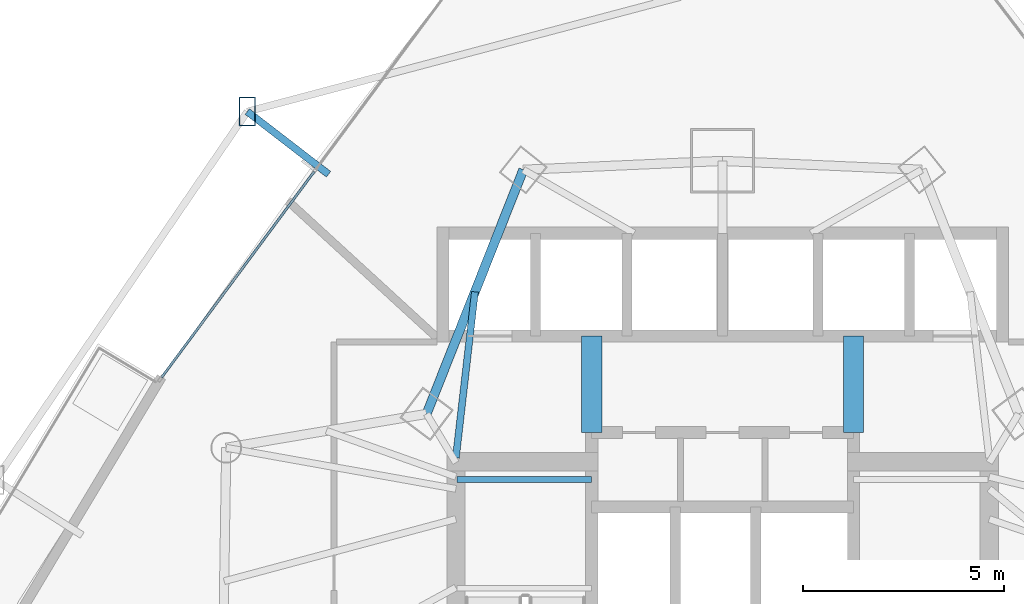
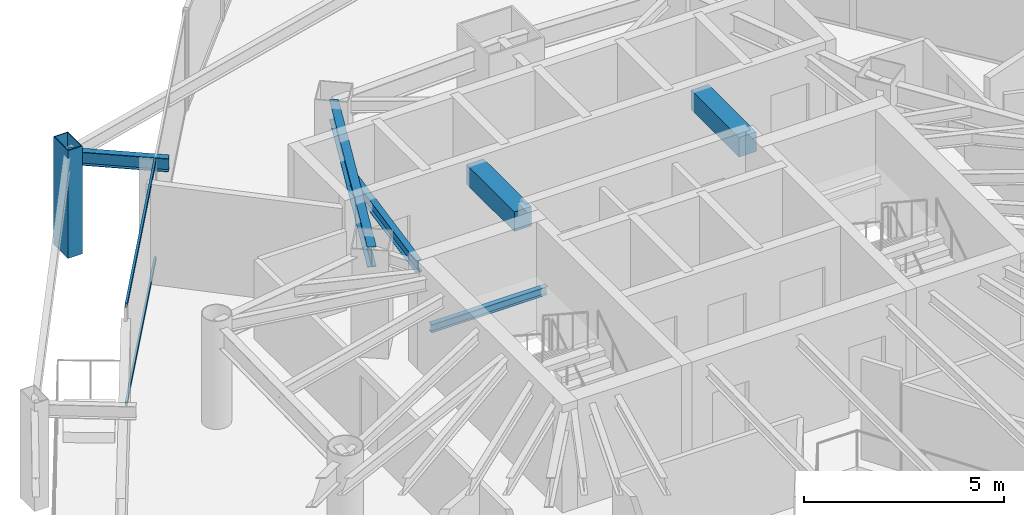
# One storey, part 22 of 35: 6 beams, 3 members, 1 element without a shape of its own.
"""IFC4 building model written with IfcOpenShell, lengths in metres."""

from ifc_helpers import new_model, si_unit, direction, frame, origin, origin_2d, place, context, subcontext, project, spatial, rectangle, hollow_rectangle, i_section, extrude, material, layer, layer_set, material_profile, profile_set, type_object, element, aggregate, save


model = new_model("IFC4")

# Units and contexts
model_context = context("Model", 3, precision=1e-05, world=origin(), true_north=direction((0.0, 1.0)))
body_context = subcontext(model_context, "Body", "Model", "MODEL_VIEW")
ifc_project = project(units=[si_unit("LENGTHUNIT", "METRE"), si_unit("AREAUNIT", "SQUARE_METRE"), si_unit("VOLUMEUNIT", "CUBIC_METRE"), si_unit("PLANEANGLEUNIT", "RADIAN"), si_unit("MASSUNIT", "GRAM", prefix="KILO")], contexts=[model_context])

# Site, building, storey
site_placement = place(None, origin())
site = spatial("IfcSite", under=ifc_project, at=site_placement, CompositionType="ELEMENT")
building_placement = place(site_placement, origin())
building = spatial("IfcBuilding", under=site, at=building_placement, Name="Orvanel Arch Residences", CompositionType="ELEMENT")
storey_placement = place(building_placement, frame((0.0, 0.0, 36.800048828125)))
storey = spatial("IfcBuildingStorey", under=building, at=storey_placement, Name="L09", CompositionType="ELEMENT", Elevation=36.800048828125)

# Beams
ifc_material_1 = material(Name="Structural steel AS/NZS 3679.1 Grade 300 (300 MPa)", Category="steel")
ifc_material_profile_1 = material_profile(ifc_material_1, i_section(OverallWidth=0.14599609375, OverallDepth=0.251953125, WebThickness=0.006103515625, FlangeThickness=0.008544921875, at=origin_2d()), Name="250UB31.4")
ifc_profile_set_1 = profile_set([ifc_material_profile_1], Name="Structural steel AS/NZS 3679.1 Grade 300 (300 MPa)")
beam_type_1 = type_object("IfcBeamType", Name="BJ-250UB", PredefinedType="JOIST", material=ifc_profile_set_1)
beam_1_placement = place(storey_placement, frame((26.39990234375, 33.47998046875, 1.323974609375), z_axis=(1.0, 0.0, 0.0), x_axis=(0.0, 1.0, 0.0)))
element("IfcBeam", 1, at=beam_1_placement, inside=storey, type_object=beam_type_1, Name="L09 ST-1 Half-Landing Support Beam 1.2", PredefinedType="JOIST", context=body_context, shape_type="SweptSolid", body=[
    extrude(i_section(OverallWidth=0.14599609375, OverallDepth=0.251953125, WebThickness=0.006103515625, FlangeThickness=0.008544921875, at=origin_2d()), origin(), (0.0, 0.0, 1.0), 3.35009765625),
])
ifc_material_profile_2 = material_profile(ifc_material_1, i_section(OverallWidth=0.1708984375, OverallDepth=0.35595703125, WebThickness=0.00732421875, FlangeThickness=0.011474609375, at=origin_2d()), Name="360UB50.7")
ifc_profile_set_2 = profile_set([ifc_material_profile_2], Name="Structural steel AS/NZS 3679.1 Grade 300 (300 MPa)")
beam_type_2 = type_object("IfcBeamType", Name="BJ-360UB", PredefinedType="JOIST", material=ifc_profile_set_2)
beam_2_placement = place(storey_placement, frame((26.375, 34.02001953125, 2.8818359375), z_axis=(0.114186670431, 0.993459311847, 0.0), x_axis=(-0.993459311847, 0.114186670431, 0.0)))
element("IfcBeam", 2, at=beam_2_placement, inside=storey, type_object=beam_type_2, Name="L09 NNW2 Wing Floor Joist", PredefinedType="JOIST", context=body_context, shape_type="SweptSolid", body=[
    extrude(i_section(OverallWidth=0.1708984375, OverallDepth=0.35595703125, WebThickness=0.00732421875, FlangeThickness=0.011474609375, at=origin_2d()), origin(), (0.0, 0.0, 1.0), 4.152099609375),
])
ifc_material_2 = material(Name="Concrete S65 (65 MPa)", Category="concrete")
ifc_material_profile_3 = material_profile(ifc_material_2, rectangle(XDim=0.5, YDim=0.60009765625, at=origin_2d()), Name="RC500x600")
ifc_profile_set_3 = profile_set([ifc_material_profile_3], Name="Concrete S65 (65 MPa)")
beam_type_3 = type_object("IfcBeamType", Name="CB-500x600", PredefinedType="LINTEL", material=ifc_profile_set_3)
for number, where, z_axis, x_axis, name in (
    (3, (29.75, 34.64990234375, 2.760009765625), (0.0, 1.0, 0.0), (-1.0, 0.0, 0.0), "L09 West Core Lobby Coupling Lintel Beam"),
    (4, (36.25, 34.64990234375, 2.760009765625), (0.0, 1.0, 0.0), (-1.0, 0.0, 0.0), "L09 East Core Lobby Coupling Lintel Beam"),
):
    element("IfcBeam", number, at=place(storey_placement, frame(where, z_axis=z_axis, x_axis=x_axis)), inside=storey, type_object=beam_type_3, Name=name, PredefinedType="LINTEL", context=body_context, shape_type="SweptSolid", body=[
        extrude(rectangle(XDim=0.5, YDim=0.60009765625, at=origin_2d()), origin(), (0.0, 0.0, 1.0), 2.400146484375),
    ])

# Member
ifc_material_3 = material(Name="Structural steel AS/NZS 3678 Grade 350", Category="steel")
ifc_material_profile_4 = material_profile(ifc_material_3, hollow_rectangle(XDim=0.419921875, YDim=0.719970703125, WallThickness=0.02490234375, at=origin_2d()), Name="RHS720x420x25")
ifc_profile_set_4 = profile_set([ifc_material_profile_4], Name="Structural steel AS/NZS 3678 Grade 350")
member_type_1 = type_object("IfcMemberType", Name="CH-720RHS-EXT", PredefinedType="CHORD", material=ifc_profile_set_4)
member_1_placement = place(storey_placement, frame((21.193115234375, 42.623046875, 0.0), z_axis=(0.0, 0.0, 1.0), x_axis=(1.0, 0.0, 0.0)))
element("IfcMember", 5, at=member_1_placement, inside=storey, type_object=member_type_1, Name="L09 Outer Perimeter Frame Post 01", PredefinedType="CHORD", context=body_context, shape_type="SweptSolid", body=[
    extrude(hollow_rectangle(XDim=0.419921875, YDim=0.719970703125, WallThickness=0.02490234375, at=origin_2d()), origin(), (0.0, 0.0, 1.0), 3.300048828125),
])

# Beams
ifc_material_profile_5 = material_profile(ifc_material_1, i_section(OverallWidth=0.177978515625, OverallDepth=0.406005859375, WebThickness=0.0078125, FlangeThickness=0.0126953125, at=origin_2d()), Name="410UB59.7")
ifc_profile_set_5 = profile_set([ifc_material_profile_5], Name="Structural steel AS/NZS 3679.1 Grade 300 (300 MPa)")
beam_type_4 = type_object("IfcBeamType", Name="OB-410UB-EXT", PredefinedType="SPANDREL", material=ifc_profile_set_5)
beam_3_placement = place(storey_placement, frame((23.2119140625, 41.06591796875, 2.85693359375), z_axis=(-0.791825918178, 0.610746850422, 0.0), x_axis=(-0.610746850422, -0.791825918178, 0.0)))
element("IfcBeam", 6, at=beam_3_placement, inside=storey, type_object=beam_type_4, Name="L09 Outer Frame Radial Tie Beam 01", PredefinedType="SPANDREL", context=body_context, shape_type="SweptSolid", body=[
    extrude(i_section(OverallWidth=0.177978515625, OverallDepth=0.406005859375, WebThickness=0.0078125, FlangeThickness=0.0126953125, at=origin_2d()), origin(), (0.0, 0.0, 1.0), 2.549560546875),
])
ifc_material_profile_6 = material_profile(ifc_material_1, i_section(OverallWidth=0.22900390625, OverallDepth=0.612060546875, WebThickness=0.011962890625, FlangeThickness=0.01953125, at=origin_2d()), Name="610UB125")
ifc_profile_set_6 = profile_set([ifc_material_profile_6], Name="Structural steel AS/NZS 3679.1 Grade 300 (300 MPa)")
beam_type_5 = type_object("IfcBeamType", Name="SP-610UB", PredefinedType="SPANDREL", material=ifc_profile_set_6)
beam_4_placement = place(storey_placement, frame((28.050048828125, 41.177978515625, 2.75390625), z_axis=(-0.368233143579, -0.929733484376, 0.0), x_axis=(0.929733484376, -0.368233143579, 0.0)))
element("IfcBeam", 7, at=beam_4_placement, inside=storey, type_object=beam_type_5, Name="L09 Perimeter Spandrel Beam 18", PredefinedType="SPANDREL", context=body_context, shape_type="SweptSolid", body=[
    extrude(i_section(OverallWidth=0.22900390625, OverallDepth=0.612060546875, WebThickness=0.011962890625, FlangeThickness=0.01953125, at=origin_2d()), origin(), (0.0, 0.0, 1.0), 6.523193359375),
])

# Curtain wall, members
ifc_material_4 = material(Name="Bronze-anodised aluminium AA6063-T6", Category="aluminium")
ifc_layer = layer(ifc_material_4, 0.179931640625)
ifc_layer_set = layer_set([ifc_layer], Name="Bronze-anodised aluminium AA6063-T6")
curtain_wall_type = type_object("IfcCurtainWallType", Name="CW2-LOW-SYS", PredefinedType="NOTDEFINED", material=ifc_layer_set)
curtain_wall_placement = place(storey_placement, origin())
curtain_wall = element("IfcCurtainWall", 8, at=curtain_wall_placement, inside=storey, type_object=curtain_wall_type, Name="L09 CW2-LOW-SYS Unitised Curtain Wall", PredefinedType="NOTDEFINED")
ifc_material_profile_7 = material_profile(ifc_material_4, hollow_rectangle(XDim=0.06005859375, YDim=0.135009765625, WallThickness=0.00390625, at=origin_2d()), Name="ALU135x60x4")
ifc_profile_set_7 = profile_set([ifc_material_profile_7], Name="Bronze-anodised aluminium AA6063-T6")
member_type_2 = type_object("IfcMemberType", Name="TRN-135x60", PredefinedType="USERDEFINED", material=ifc_profile_set_7)
member_2_placement = place(storey_placement, frame((22.853271484375, 41.1318359375, 0.030029296875), z_axis=(-0.595357762484, -0.803460723775, 0.0), x_axis=(0.803460723775, -0.595357762484, 0.0)))
member_2 = element("IfcMember", 9, at=member_2_placement, type_object=member_type_2, Name="CW-S2 transom 2.1", ObjectType="TRANSOM", PredefinedType="USERDEFINED", context=body_context, shape_type="SweptSolid", body=[
    extrude(hollow_rectangle(XDim=0.06005859375, YDim=0.135009765625, WallThickness=0.00390625, at=origin_2d()), origin(), (0.0, 0.0, 1.0), 6.36669921875),
])
member_3_placement = place(storey_placement, frame((22.853271484375, 41.1318359375, 3.030029296875), z_axis=(-0.595357762484, -0.803460723775, 0.0), x_axis=(0.803460723775, -0.595357762484, 0.0)))
member_3 = element("IfcMember", 10, at=member_3_placement, type_object=member_type_2, Name="CW-S2 transom 2.2", ObjectType="TRANSOM", PredefinedType="USERDEFINED", context=body_context, shape_type="SweptSolid", body=[
    extrude(hollow_rectangle(XDim=0.06005859375, YDim=0.135009765625, WallThickness=0.00390625, at=origin_2d()), origin(), (0.0, 0.0, 1.0), 6.36669921875),
])
aggregate(curtain_wall, [member_2, member_3])

save(model, "model.ifc")
